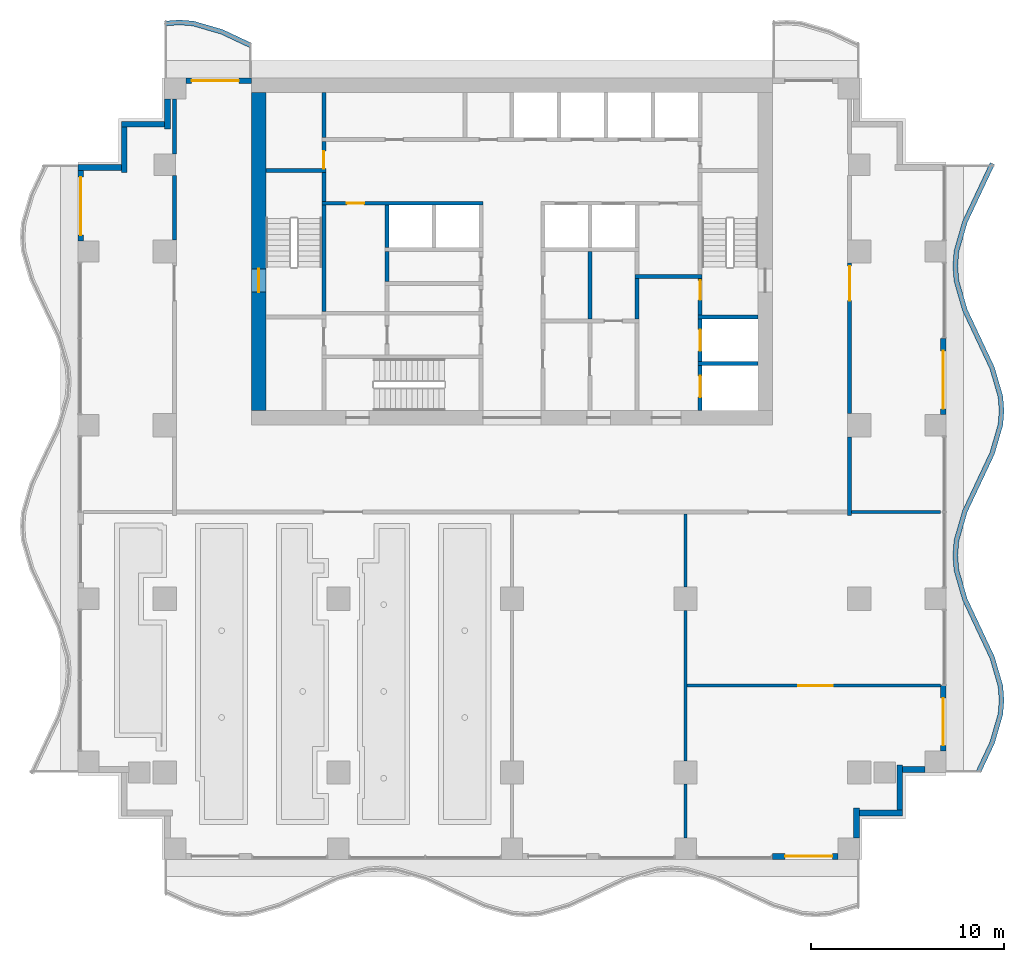
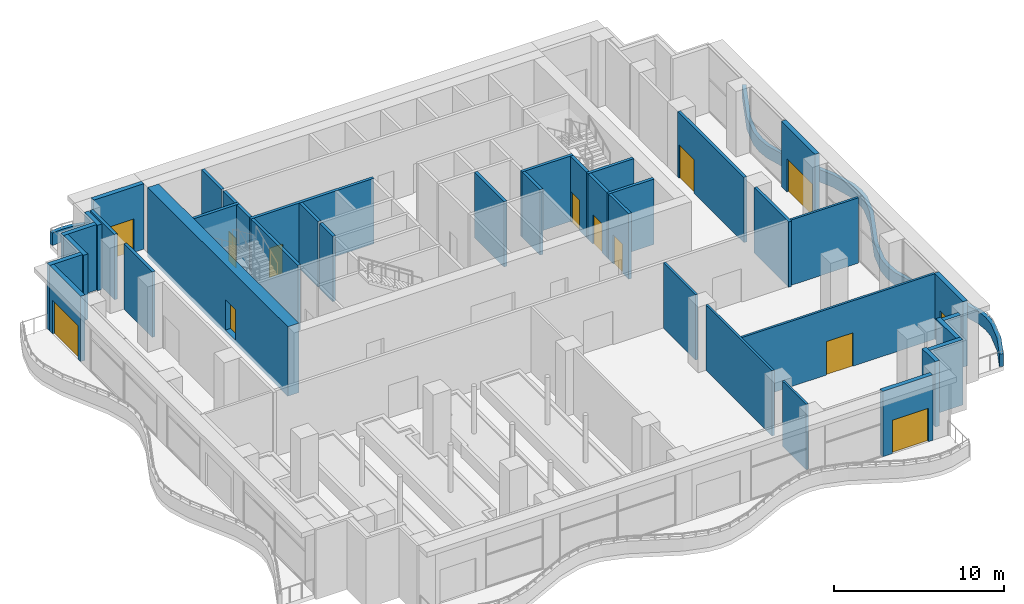
# One storey, part 9 of 16: 41 walls, 13 doors, 13 openings.
"""IFC4 building model written with IfcOpenShell, lengths in metres."""

from ifc_helpers import new_model, si_unit, direction, frame, frame_2d, origin, place, context, subcontext, project, spatial, polyline, rectangle, outline, extrude, material, layer, layer_set, type_object, element, fill, save


model = new_model("IFC4")

# Units and contexts
model_context = context("Model", 3, precision=1e-05, world=origin(), true_north=direction((0.0, 1.0)))
body_context = subcontext(model_context, "Body", "Model", "MODEL_VIEW")
ifc_project = project(units=[si_unit("LENGTHUNIT", "METRE"), si_unit("AREAUNIT", "SQUARE_METRE"), si_unit("VOLUMEUNIT", "CUBIC_METRE"), si_unit("PLANEANGLEUNIT", "RADIAN"), si_unit("MASSUNIT", "GRAM", prefix="KILO")], contexts=[model_context])

# Site, building, storey
site_placement = place(None, origin())
site = spatial("IfcSite", under=ifc_project, at=site_placement, CompositionType="ELEMENT")
building_placement = place(site_placement, origin())
building = spatial("IfcBuilding", under=site, at=building_placement, Name="Orbiselva Terraces", CompositionType="ELEMENT")
storey_placement = place(building_placement, frame((0.0, 0.0, 174.4)))
storey = spatial("IfcBuildingStorey", under=building, at=storey_placement, Name="L44", CompositionType="ELEMENT", Elevation=174.4)

# Wall, opening, door
ifc_material_1 = material(Name="Concrete C80/95", Category="concrete")
ifc_layer_1 = layer(ifc_material_1, 0.75)
ifc_layer_set_1 = layer_set([ifc_layer_1], Name="Concrete C80/95")
wall_type_1 = type_object("IfcWallType", Name="CORE WALL 750", PredefinedType="SHEAR", material=ifc_layer_set_1)
wall_1_placement = place(storey_placement, frame((-13.125, 21.75, -0.3), z_axis=(0.0, 0.0, 1.0), x_axis=(0.0, -1.0, 0.0)))
wall_1 = element("IfcWall", 1, at=wall_1_placement, inside=storey, type_object=wall_type_1, Name="Core wall L44 west", PredefinedType="SHEAR", context=body_context, shape_type="SweptSolid", body=[
    extrude(rectangle(XDim=16.5, YDim=0.75, at=frame_2d((8.25, 0.0))), origin(), (0.0, 0.0, 1.0), 5.0),
])
opening_1_placement = place(wall_1_placement, frame((9.15, 0.0, 0.3)))
opening_1 = element("IfcOpeningElement", 2, at=opening_1_placement, cuts=wall_1, Name="Opening DS1200", PredefinedType="OPENING", context=body_context, shape_type="SweptSolid", body=[
    extrude(rectangle(XDim=1.2, YDim=2.2, at=frame_2d((0.6, 1.1))), frame((0.0, 0.385, 0.0), z_axis=(0.0, -1.0, 0.0), x_axis=(1.0, 0.0, 0.0)), (0.0, 0.0, 1.0), 0.77),
])
ifc_material_2 = material(Name="Steel fire door", Category="steel")
door_type_1 = type_object("IfcDoorType", Name="STAIR DOOR 1200", OperationType="NOTDEFINED", PredefinedType="DOOR", material=ifc_material_2)
door_1_placement = place(opening_1_placement, frame((1.2, 0.0, 0.0), z_axis=(0.0, 0.0, 1.0), x_axis=(-1.0, 0.0, 0.0)))
door_1 = element("IfcDoor", 3, at=door_1_placement, inside=storey, type_object=door_type_1, Name="L44 EXIT STAIR S1 door", OperationType="SINGLE_SWING_RIGHT", OverallHeight=2.2, OverallWidth=1.2, PredefinedType="DOOR", context=body_context, shape_type="SweptSolid", body=[
    extrude(rectangle(XDim=1.2, YDim=2.2, at=frame_2d((0.6, 1.1))), frame((0.0, 0.025, 0.0), z_axis=(0.0, -1.0, 0.0), x_axis=(1.0, 0.0, 0.0)), (0.0, 0.0, 1.0), 0.05),
])
fill(opening_1, door_1)

ifc_material_3 = material(Name="Masonry blockwork", Category="masonry")
ifc_layer_2 = layer(ifc_material_3, 0.2)
ifc_layer_set_2 = layer_set([ifc_layer_2], Name="Masonry blockwork")
wall_type_2 = type_object("IfcWallType", Name="CORE-WALL-PARTITION-200", PredefinedType="PARTITIONING", material=ifc_layer_set_2)
wall_2_placement = place(storey_placement, frame((-9.75, 17.8, 0.0), z_axis=(0.0, 0.0, 1.0), x_axis=(0.0, 1.0, 0.0)))
wall_2 = element("IfcWall", 4, at=wall_2_placement, inside=storey, type_object=wall_type_2, Name="L44 core wall 10", PredefinedType="PARTITIONING", context=body_context, shape_type="SweptSolid", body=[
    extrude(rectangle(XDim=1.4, YDim=0.2, at=frame_2d((0.7, 0.0))), origin(), (0.0, 0.0, 1.0), 4.7),
])
opening_2_placement = place(wall_2_placement, origin())
opening_2 = element("IfcOpeningElement", 5, at=opening_2_placement, cuts=wall_2, Name="Opening DR900", PredefinedType="OPENING", context=body_context, shape_type="SweptSolid", body=[
    extrude(rectangle(XDim=0.9, YDim=2.1, at=frame_2d((0.45, 1.05))), frame((0.0, 0.11, 0.0), z_axis=(0.0, -1.0, 0.0), x_axis=(1.0, 0.0, 0.0)), (0.0, 0.0, 1.0), 0.22),
])
door_type_2 = type_object("IfcDoorType", Name="ROOM DOOR 900", OperationType="NOTDEFINED", PredefinedType="DOOR", material=ifc_material_2)
door_2_placement = place(opening_2_placement, origin())
door_2 = element("IfcDoor", 6, at=door_2_placement, inside=storey, type_object=door_type_2, Name="L44 ELECTRICAL RISER ROOM door", OperationType="SINGLE_SWING_LEFT", OverallHeight=2.1, OverallWidth=0.9, PredefinedType="DOOR", context=body_context, shape_type="SweptSolid", body=[
    extrude(rectangle(XDim=0.9, YDim=2.1, at=frame_2d((0.45, 1.05))), frame((0.0, 0.025, 0.0), z_axis=(0.0, -1.0, 0.0), x_axis=(1.0, 0.0, 0.0)), (0.0, 0.0, 1.0), 0.05),
])
fill(opening_2, door_2)

# Walls
wall_3_placement = place(storey_placement, frame((-9.75, 19.4, 0.0), z_axis=(0.0, 0.0, 1.0), x_axis=(0.0, 1.0, 0.0)))
element("IfcWall", 7, at=wall_3_placement, inside=storey, type_object=wall_type_2, Name="L44 core wall 12", PredefinedType="PARTITIONING", context=body_context, shape_type="SweptSolid", body=[
    extrude(rectangle(XDim=2.35, YDim=0.2, at=frame_2d((1.175, 0.0))), origin(), (0.0, 0.0, 1.0), 4.7),
])
wall_4_placement = place(storey_placement, frame((-6.475, 11.95, 0.0), z_axis=(0.0, 0.0, 1.0), x_axis=(0.0, 1.0, 0.0)))
element("IfcWall", 8, at=wall_4_placement, inside=storey, type_object=wall_type_2, Name="L44 core wall 16", PredefinedType="PARTITIONING", context=body_context, shape_type="SweptSolid", body=[
    extrude(rectangle(XDim=1.55, YDim=0.2, at=frame_2d((0.775, 0.0))), origin(), (0.0, 0.0, 1.0), 4.7),
])
wall_5_placement = place(storey_placement, frame((4.0375, 10.0, 0.0), z_axis=(0.0, 0.0, 1.0), x_axis=(0.0, 1.0, 0.0)))
element("IfcWall", 9, at=wall_5_placement, inside=storey, type_object=wall_type_2, Name="L44 core wall 35", PredefinedType="PARTITIONING", context=body_context, shape_type="SweptSolid", body=[
    extrude(rectangle(XDim=3.5, YDim=0.2, at=frame_2d((1.75, 0.0))), origin(), (0.0, 0.0, 1.0), 4.7),
])
ifc_material_4 = material(Name="Concrete C40/50", Category="concrete")
ifc_layer_3 = layer(ifc_material_4, 0.2)
ifc_layer_set_3 = layer_set([ifc_layer_3], Name="Concrete C40/50")
wall_type_3 = type_object("IfcWallType", Name="CORE-WALL-SHAFT-200", PredefinedType="PARTITIONING", material=ifc_layer_set_3)
wall_6_placement = place(storey_placement, frame((-6.475, 13.7, 0.0), z_axis=(0.0, 0.0, 1.0), x_axis=(0.0, 1.0, 0.0)))
element("IfcWall", 10, at=wall_6_placement, inside=storey, type_object=wall_type_3, Name="L44 core wall 18", PredefinedType="PARTITIONING", context=body_context, shape_type="SweptSolid", body=[
    extrude(rectangle(XDim=2.2, YDim=0.2, at=frame_2d((1.1, 0.0))), origin(), (0.0, 0.0, 1.0), 4.7),
])
ifc_material_5 = material(Name="Concrete C60/75", Category="concrete")
ifc_layer_4 = layer(ifc_material_5, 0.2)
ifc_layer_set_4 = layer_set([ifc_layer_4], Name="Concrete C60/75")
wall_type_4 = type_object("IfcWallType", Name="CORE-WALL-SHEAR-200", PredefinedType="SHEAR", material=ifc_layer_set_4)
wall_7_placement = place(storey_placement, frame((-12.75, 17.7, 0.0), z_axis=(0.0, 0.0, 1.0), x_axis=(1.0, 0.0, 0.0)))
element("IfcWall", 11, at=wall_7_placement, inside=storey, type_object=wall_type_4, Name="L44 core wall 02", PredefinedType="SHEAR", context=body_context, shape_type="SweptSolid", body=[
    extrude(rectangle(XDim=3.1, YDim=0.2, at=frame_2d((1.55, 0.0))), origin(), (0.0, 0.0, 1.0), 4.7),
])
wall_8_placement = place(storey_placement, frame((-9.75, 10.4, 0.0), z_axis=(0.0, 0.0, 1.0), x_axis=(0.0, 1.0, 0.0)))
element("IfcWall", 12, at=wall_8_placement, inside=storey, type_object=wall_type_4, Name="L44 core wall 07", PredefinedType="SHEAR", context=body_context, shape_type="SweptSolid", body=[
    extrude(rectangle(XDim=5.5, YDim=0.2, at=frame_2d((2.75, 0.0))), origin(), (0.0, 0.0, 1.0), 4.7),
])

# Wall, opening, door
wall_9_placement = place(storey_placement, frame((-1.5, 16.0, 0.0), z_axis=(0.0, 0.0, 1.0), x_axis=(-1.0, 0.0, 0.0)))
wall_9 = element("IfcWall", 13, at=wall_9_placement, inside=storey, type_object=wall_type_4, Name="L44 core wall 08", PredefinedType="SHEAR", context=body_context, shape_type="SweptSolid", body=[
    extrude(rectangle(XDim=8.35, YDim=0.2, at=frame_2d((4.175, 0.0))), origin(), (0.0, 0.0, 1.0), 4.7),
])
opening_3_placement = place(wall_9_placement, frame((6.1625, 0.0, 0.0)))
opening_3 = element("IfcOpeningElement", 14, at=opening_3_placement, cuts=wall_9, Name="Opening DR900", PredefinedType="OPENING", context=body_context, shape_type="SweptSolid", body=[
    extrude(rectangle(XDim=0.9, YDim=2.1, at=frame_2d((0.45, 1.05))), frame((0.0, 0.11, 0.0), z_axis=(0.0, -1.0, 0.0), x_axis=(1.0, 0.0, 0.0)), (0.0, 0.0, 1.0), 0.22),
])
door_3_placement = place(opening_3_placement, origin())
door_3 = element("IfcDoor", 15, at=door_3_placement, inside=storey, type_object=door_type_2, Name="L44 GUEST PANTRY door", OperationType="SINGLE_SWING_RIGHT", OverallHeight=2.1, OverallWidth=0.9, PredefinedType="DOOR", context=body_context, shape_type="SweptSolid", body=[
    extrude(rectangle(XDim=0.9, YDim=2.1, at=frame_2d((0.45, 1.05))), frame((0.0, 0.025, 0.0), z_axis=(0.0, -1.0, 0.0), x_axis=(1.0, 0.0, 0.0)), (0.0, 0.0, 1.0), 0.05),
])
fill(opening_3, door_3)

# Walls
wall_10_placement = place(storey_placement, frame((-9.75, 16.1, 0.0), z_axis=(0.0, 0.0, 1.0), x_axis=(0.0, 1.0, 0.0)))
element("IfcWall", 16, at=wall_10_placement, inside=storey, type_object=wall_type_4, Name="L44 core wall 09", PredefinedType="SHEAR", context=body_context, shape_type="SweptSolid", body=[
    extrude(rectangle(XDim=1.5, YDim=0.2, at=frame_2d((0.75, 0.0))), origin(), (0.0, 0.0, 1.0), 4.7),
])
wall_11_placement = place(storey_placement, frame((6.475, 10.0, 0.0), z_axis=(0.0, 0.0, 1.0), x_axis=(0.0, 1.0, 0.0)))
element("IfcWall", 17, at=wall_11_placement, inside=storey, type_object=wall_type_4, Name="L44 core wall 39", PredefinedType="SHEAR", context=body_context, shape_type="SweptSolid", body=[
    extrude(rectangle(XDim=2.1, YDim=0.2, at=frame_2d((1.05, 0.0))), origin(), (0.0, 0.0, 1.0), 4.7),
])
wall_12_placement = place(storey_placement, frame((6.375, 12.2, 0.0), z_axis=(0.0, 0.0, 1.0), x_axis=(1.0, 0.0, 0.0)))
element("IfcWall", 18, at=wall_12_placement, inside=storey, type_object=wall_type_4, Name="L44 core wall 40", PredefinedType="SHEAR", context=body_context, shape_type="SweptSolid", body=[
    extrude(rectangle(XDim=3.475, YDim=0.2, at=frame_2d((1.7375, 0.0))), origin(), (0.0, 0.0, 1.0), 4.7),
])

# Wall, opening, door
wall_13_placement = place(storey_placement, frame((9.75, 5.25, 0.0), z_axis=(0.0, 0.0, 1.0), x_axis=(0.0, 1.0, 0.0)))
wall_13 = element("IfcWall", 19, at=wall_13_placement, inside=storey, type_object=wall_type_4, Name="L44 core wall 44", PredefinedType="SHEAR", context=body_context, shape_type="SweptSolid", body=[
    extrude(rectangle(XDim=2.35, YDim=0.2, at=frame_2d((1.175, 0.0))), origin(), (0.0, 0.0, 1.0), 4.7),
])
opening_4_placement = place(wall_13_placement, frame((0.7, 0.0, 0.0)))
opening_4 = element("IfcOpeningElement", 20, at=opening_4_placement, cuts=wall_13, Name="Opening LD-FF1", PredefinedType="OPENING", context=body_context, shape_type="SweptSolid", body=[
    extrude(rectangle(XDim=1.1, YDim=2.1, at=frame_2d((0.55, 1.05))), frame((0.0, 0.11, 0.0), z_axis=(0.0, -1.0, 0.0), x_axis=(1.0, 0.0, 0.0)), (0.0, 0.0, 1.0), 0.22),
])
ifc_material_6 = material(Name="Stainless steel landing door", Category="steel")
door_type_3 = type_object("IfcDoorType", Name="LANDING DOOR 1100", OperationType="SLIDING_TO_LEFT", PredefinedType="DOOR", material=ifc_material_6)
door_4_placement = place(opening_4_placement, origin())
door_4 = element("IfcDoor", 21, at=door_4_placement, inside=storey, type_object=door_type_3, Name="L44 landing door FF1", OperationType="SLIDING_TO_RIGHT", OverallHeight=2.1, OverallWidth=1.1, PredefinedType="DOOR", context=body_context, shape_type="SweptSolid", body=[
    extrude(rectangle(XDim=1.1, YDim=2.1, at=frame_2d((0.55, 1.05))), frame((0.0, 0.025, 0.0), z_axis=(0.0, -1.0, 0.0), x_axis=(1.0, 0.0, 0.0)), (0.0, 0.0, 1.0), 0.05),
])
fill(opening_4, door_4)

# Wall
wall_14_placement = place(storey_placement, frame((9.65, 7.7, 0.0), z_axis=(0.0, 0.0, 1.0), x_axis=(1.0, 0.0, 0.0)))
element("IfcWall", 22, at=wall_14_placement, inside=storey, type_object=wall_type_4, Name="L44 core wall 45", PredefinedType="SHEAR", context=body_context, shape_type="SweptSolid", body=[
    extrude(rectangle(XDim=3.1, YDim=0.2, at=frame_2d((1.55, 0.0))), origin(), (0.0, 0.0, 1.0), 4.7),
])

# Wall, opening, door
wall_15_placement = place(storey_placement, frame((9.75, 7.8, 0.0), z_axis=(0.0, 0.0, 1.0), x_axis=(0.0, 1.0, 0.0)))
wall_15 = element("IfcWall", 23, at=wall_15_placement, inside=storey, type_object=wall_type_4, Name="L44 core wall 46", PredefinedType="SHEAR", context=body_context, shape_type="SweptSolid", body=[
    extrude(rectangle(XDim=2.2, YDim=0.2, at=frame_2d((1.1, 0.0))), origin(), (0.0, 0.0, 1.0), 4.7),
])
opening_5_placement = place(wall_15_placement, frame((0.55, 0.0, 0.0)))
opening_5 = element("IfcOpeningElement", 24, at=opening_5_placement, cuts=wall_15, Name="Opening LD-FF2", PredefinedType="OPENING", context=body_context, shape_type="SweptSolid", body=[
    extrude(rectangle(XDim=1.1, YDim=2.1, at=frame_2d((0.55, 1.05))), frame((0.0, 0.11, 0.0), z_axis=(0.0, -1.0, 0.0), x_axis=(1.0, 0.0, 0.0)), (0.0, 0.0, 1.0), 0.22),
])
door_5_placement = place(opening_5_placement, origin())
door_5 = element("IfcDoor", 25, at=door_5_placement, inside=storey, type_object=door_type_3, Name="L44 landing door FF2", OperationType="SLIDING_TO_RIGHT", OverallHeight=2.1, OverallWidth=1.1, PredefinedType="DOOR", context=body_context, shape_type="SweptSolid", body=[
    extrude(rectangle(XDim=1.1, YDim=2.1, at=frame_2d((0.55, 1.05))), frame((0.0, 0.025, 0.0), z_axis=(0.0, -1.0, 0.0), x_axis=(1.0, 0.0, 0.0)), (0.0, 0.0, 1.0), 0.05),
])
fill(opening_5, door_5)

# Wall
wall_16_placement = place(storey_placement, frame((9.65, 10.1, 0.0), z_axis=(0.0, 0.0, 1.0), x_axis=(1.0, 0.0, 0.0)))
element("IfcWall", 26, at=wall_16_placement, inside=storey, type_object=wall_type_4, Name="L44 core wall 47", PredefinedType="SHEAR", context=body_context, shape_type="SweptSolid", body=[
    extrude(rectangle(XDim=3.1, YDim=0.2, at=frame_2d((1.55, 0.0))), origin(), (0.0, 0.0, 1.0), 4.7),
])

# Wall, opening, door
wall_17_placement = place(storey_placement, frame((9.75, 12.1, 0.0), z_axis=(0.0, 0.0, 1.0), x_axis=(0.0, -1.0, 0.0)))
wall_17 = element("IfcWall", 27, at=wall_17_placement, inside=storey, type_object=wall_type_4, Name="L44 core wall 48", PredefinedType="SHEAR", context=body_context, shape_type="SweptSolid", body=[
    extrude(rectangle(XDim=1.9, YDim=0.2, at=frame_2d((0.95, 0.0))), origin(), (0.0, 0.0, 1.0), 4.7),
])
opening_6_placement = place(wall_17_placement, frame((0.1, 0.0, 0.0)))
opening_6 = element("IfcOpeningElement", 28, at=opening_6_placement, cuts=wall_17, Name="Opening DS1000", PredefinedType="OPENING", context=body_context, shape_type="SweptSolid", body=[
    extrude(rectangle(XDim=1.0, YDim=2.2, at=frame_2d((0.5, 1.1))), frame((0.0, 0.11, 0.0), z_axis=(0.0, -1.0, 0.0), x_axis=(1.0, 0.0, 0.0)), (0.0, 0.0, 1.0), 0.22),
])
door_type_4 = type_object("IfcDoorType", Name="STAIR DOOR 1000", OperationType="NOTDEFINED", PredefinedType="DOOR", material=ifc_material_2)
door_6_placement = place(opening_6_placement, origin())
door_6 = element("IfcDoor", 29, at=door_6_placement, inside=storey, type_object=door_type_4, Name="L44 FIRE-FIGHTING LOBBY TO EXIT STAIR S2 door", OperationType="SINGLE_SWING_LEFT", OverallHeight=2.2, OverallWidth=1.0, PredefinedType="DOOR", context=body_context, shape_type="SweptSolid", body=[
    extrude(rectangle(XDim=1.0, YDim=2.2, at=frame_2d((0.5, 1.1))), frame((0.0, 0.025, 0.0), z_axis=(0.0, -1.0, 0.0), x_axis=(1.0, 0.0, 0.0)), (0.0, 0.0, 1.0), 0.05),
])
fill(opening_6, door_6)

# Walls
ifc_layer_5 = layer(ifc_material_4, 0.25)
ifc_layer_set_5 = layer_set([ifc_layer_5], Name="Concrete C40/50")
wall_type_5 = type_object("IfcWallType", Name="ENV-PLANTER-250x900", PredefinedType="USERDEFINED", material=ifc_layer_set_5)
wall_18_placement = place(storey_placement, origin())
element("IfcWall", 30, at=wall_18_placement, inside=storey, type_object=wall_type_5, Name="Balcony planter L44 E", ObjectType="PLANTER", PredefinedType="USERDEFINED", context=body_context, shape_type="SweptSolid", body=[
    extrude(outline(polyline([(24.3, -13.5), (25.005342, -12.0), (25.441268, -10.5), (25.5, -9.75), (25.441268, -9.0), (25.005342, -7.5), (24.3, -6.0), (23.594658, -4.5), (23.158732, -3.0), (23.1, -2.25), (23.158732, -1.5), (23.594658, 0.0), (24.3, 1.5), (25.005342, 3.0), (25.441268, 4.5), (25.5, 5.25), (25.441268, 6.0), (25.005342, 7.5), (24.3, 9.0), (23.594658, 10.5), (23.158732, 12.0), (23.1, 12.75), (23.158732, 13.5), (23.594658, 15.0), (24.3, 16.5), (25.005342, 18.0), (24.779106, 18.106383), (24.073764, 16.606383), (23.360069, 15.088618), (22.911499, 13.545114), (22.849235, 12.75), (22.911499, 11.954886), (23.360069, 10.411382), (24.073764, 8.893617), (24.770753, 7.411382), (25.194035, 5.954886), (25.249235, 5.25), (25.194035, 4.545114), (24.770753, 3.088618), (24.073764, 1.606383), (23.360069, 0.088618), (22.911499, -1.454886), (22.849235, -2.25), (22.911499, -3.045114), (23.360069, -4.588618), (24.073764, -6.106383), (24.770753, -7.588618), (25.194035, -9.045114), (25.249235, -9.75), (25.194035, -10.454886), (24.770753, -11.911382), (24.073764, -13.393617), (24.3, -13.5)])), origin(), (0.0, 0.0, 1.0), 0.9),
])
wall_19_placement = place(storey_placement, origin())
element("IfcWall", 31, at=wall_19_placement, inside=storey, type_object=wall_type_5, Name="Balcony planter L44 NW", ObjectType="PLANTER", PredefinedType="USERDEFINED", context=body_context, shape_type="SweptSolid", body=[
    extrude(outline(polyline([(-13.5, 24.3), (-15.0, 25.005342), (-16.5, 25.441268), (-17.25, 25.5), (-18.0, 25.441268), (-17.980482, 25.192031), (-17.25, 25.249235), (-16.545114, 25.194035), (-15.088618, 24.770753), (-13.606383, 24.073764), (-13.5, 24.3)])), origin(), (0.0, 0.0, 1.0), 0.9),
])

# Wall, opening, door
ifc_material_7 = material(Name="Terracotta cladding on masonry backing", Category="masonry")
ifc_layer_6 = layer(ifc_material_7, 0.3)
ifc_layer_set_6 = layer_set([ifc_layer_6], Name="Terracotta cladding on masonry backing")
wall_type_6 = type_object("IfcWallType", Name="ENV-WALL-TERRACOTTA-300", PredefinedType="SOLIDWALL", material=ifc_layer_set_6)
wall_20_placement = place(storey_placement, frame((16.9, -17.85, 0.0), z_axis=(0.0, 0.0, 1.0), x_axis=(-1.0, 0.0, 0.0)))
wall_20 = element("IfcWall", 32, at=wall_20_placement, inside=storey, type_object=wall_type_6, Name="Facade wall L44 S", PredefinedType="SOLIDWALL", context=body_context, shape_type="SweptSolid", body=[
    extrude(rectangle(XDim=3.4, YDim=0.3, at=frame_2d((1.7, 0.0))), origin(), (0.0, 0.0, 1.0), 4.7),
])
opening_7_placement = place(wall_20_placement, frame((0.3, 0.0, 0.0)))
opening_7 = element("IfcOpeningElement", 33, at=opening_7_placement, cuts=wall_20, Name="Opening SKY-3-E03", PredefinedType="OPENING", context=body_context, shape_type="SweptSolid", body=[
    extrude(rectangle(XDim=2.45, YDim=2.4, at=frame_2d((1.225, 1.2))), frame((0.0, 0.16, 0.0), z_axis=(0.0, -1.0, 0.0), x_axis=(1.0, 0.0, 0.0)), (0.0, 0.0, 1.0), 0.32),
])
ifc_material_8 = material(Name="Clear low-e glazing in aluminium frame", Category="aluminium")
door_type_5 = type_object("IfcDoorType", Name="BALCONY DOOR 2450 X 2400", OperationType="DOUBLE_DOOR_SLIDING", PredefinedType="DOOR", material=ifc_material_8)
door_7_placement = place(opening_7_placement, origin())
door_7 = element("IfcDoor", 34, at=door_7_placement, inside=storey, type_object=door_type_5, Name="SKY-3-E03", OperationType="SINGLE_SWING_LEFT", OverallHeight=2.4, OverallWidth=2.45, PredefinedType="DOOR", context=body_context, shape_type="SweptSolid", body=[
    extrude(rectangle(XDim=2.45, YDim=2.4, at=frame_2d((1.225, 1.2))), frame((0.0, 0.025, 0.0), z_axis=(0.0, -1.0, 0.0), x_axis=(1.0, 0.0, 0.0)), (0.0, 0.0, 1.0), 0.05),
])
fill(opening_7, door_7)

# Walls
wall_21_placement = place(storey_placement, frame((17.85, -15.35, 0.0), z_axis=(0.0, 0.0, 1.0), x_axis=(0.0, -1.0, 0.0)))
element("IfcWall", 35, at=wall_21_placement, inside=storey, type_object=wall_type_6, Name="Facade wall L44 STEP", PredefinedType="SOLIDWALL", context=body_context, shape_type="SweptSolid", body=[
    extrude(rectangle(XDim=1.55, YDim=0.3, at=frame_2d((0.775, 0.0))), origin(), (0.0, 0.0, 1.0), 4.7),
])
wall_22_placement = place(storey_placement, frame((20.25, -15.6, 0.0), z_axis=(0.0, 0.0, 1.0), x_axis=(-1.0, 0.0, 0.0)))
element("IfcWall", 36, at=wall_22_placement, inside=storey, type_object=wall_type_6, Name="Facade wall L44 STEP", PredefinedType="SOLIDWALL", context=body_context, shape_type="SweptSolid", body=[
    extrude(rectangle(XDim=2.25, YDim=0.3, at=frame_2d((1.125, 0.0))), origin(), (0.0, 0.0, 1.0), 4.7),
])
wall_23_placement = place(storey_placement, frame((20.1, -13.1, 0.0), z_axis=(0.0, 0.0, 1.0), x_axis=(0.0, -1.0, 0.0)))
element("IfcWall", 37, at=wall_23_placement, inside=storey, type_object=wall_type_6, Name="Facade wall L44 STEP", PredefinedType="SOLIDWALL", context=body_context, shape_type="SweptSolid", body=[
    extrude(rectangle(XDim=2.35, YDim=0.3, at=frame_2d((1.175, 0.0))), origin(), (0.0, 0.0, 1.0), 4.7),
])
wall_24_placement = place(storey_placement, frame((21.4, -13.35, 0.0), z_axis=(0.0, 0.0, 1.0), x_axis=(-1.0, 0.0, 0.0)))
element("IfcWall", 38, at=wall_24_placement, inside=storey, type_object=wall_type_6, Name="Facade wall L44 STEP", PredefinedType="SOLIDWALL", context=body_context, shape_type="SweptSolid", body=[
    extrude(rectangle(XDim=1.15, YDim=0.3, at=frame_2d((0.575, 0.0))), origin(), (0.0, 0.0, 1.0), 4.7),
])

# Wall, opening, door
wall_25_placement = place(storey_placement, frame((22.35, -9.0, 0.0), z_axis=(0.0, 0.0, 1.0), x_axis=(0.0, -1.0, 0.0)))
wall_25 = element("IfcWall", 39, at=wall_25_placement, inside=storey, type_object=wall_type_6, Name="Facade wall L44 E", PredefinedType="SOLIDWALL", context=body_context, shape_type="SweptSolid", body=[
    extrude(rectangle(XDim=3.4, YDim=0.3, at=frame_2d((1.7, 0.0))), origin(), (0.0, 0.0, 1.0), 4.7),
])
opening_8_placement = place(wall_25_placement, frame((0.65, 0.0, 0.0)))
opening_8 = element("IfcOpeningElement", 40, at=opening_8_placement, cuts=wall_25, Name="Opening SKY-3-E04", PredefinedType="OPENING", context=body_context, shape_type="SweptSolid", body=[
    extrude(rectangle(XDim=2.45, YDim=2.4, at=frame_2d((1.225, 1.2))), frame((0.0, 0.16, 0.0), z_axis=(0.0, -1.0, 0.0), x_axis=(1.0, 0.0, 0.0)), (0.0, 0.0, 1.0), 0.32),
])
door_8_placement = place(opening_8_placement, origin())
door_8 = element("IfcDoor", 41, at=door_8_placement, inside=storey, type_object=door_type_5, Name="SKY-3-E04", OperationType="SINGLE_SWING_LEFT", OverallHeight=2.4, OverallWidth=2.45, PredefinedType="DOOR", context=body_context, shape_type="SweptSolid", body=[
    extrude(rectangle(XDim=2.45, YDim=2.4, at=frame_2d((1.225, 1.2))), frame((0.0, 0.025, 0.0), z_axis=(0.0, -1.0, 0.0), x_axis=(1.0, 0.0, 0.0)), (0.0, 0.0, 1.0), 0.05),
])
fill(opening_8, door_8)

wall_26_placement = place(storey_placement, frame((22.35, 9.0, 0.0), z_axis=(0.0, 0.0, 1.0), x_axis=(0.0, -1.0, 0.0)))
wall_26 = element("IfcWall", 42, at=wall_26_placement, inside=storey, type_object=wall_type_6, Name="Facade wall L44 E", PredefinedType="SOLIDWALL", context=body_context, shape_type="SweptSolid", body=[
    extrude(rectangle(XDim=3.95, YDim=0.3, at=frame_2d((1.975, 0.0))), origin(), (0.0, 0.0, 1.0), 4.7),
])
opening_9_placement = place(wall_26_placement, frame((0.65, 0.0, 0.0)))
opening_9 = element("IfcOpeningElement", 43, at=opening_9_placement, cuts=wall_26, Name="Opening SKY-3-E05", PredefinedType="OPENING", context=body_context, shape_type="SweptSolid", body=[
    extrude(rectangle(XDim=3.0, YDim=2.4, at=frame_2d((1.5, 1.2))), frame((0.0, 0.16, 0.0), z_axis=(0.0, -1.0, 0.0), x_axis=(1.0, 0.0, 0.0)), (0.0, 0.0, 1.0), 0.32),
])
door_type_6 = type_object("IfcDoorType", Name="BALCONY DOOR 3000 X 2400", OperationType="DOUBLE_DOOR_SLIDING", PredefinedType="DOOR", material=ifc_material_8)
door_9_placement = place(opening_9_placement, origin())
door_9 = element("IfcDoor", 44, at=door_9_placement, inside=storey, type_object=door_type_6, Name="SKY-3-E05", OperationType="SINGLE_SWING_LEFT", OverallHeight=2.4, OverallWidth=3.0, PredefinedType="DOOR", context=body_context, shape_type="SweptSolid", body=[
    extrude(rectangle(XDim=3.0, YDim=2.4, at=frame_2d((1.5, 1.2))), frame((0.0, 0.025, 0.0), z_axis=(0.0, -1.0, 0.0), x_axis=(1.0, 0.0, 0.0)), (0.0, 0.0, 1.0), 0.05),
])
fill(opening_9, door_9)

wall_27_placement = place(storey_placement, frame((-16.9, 22.35, 0.0), z_axis=(0.0, 0.0, 1.0), x_axis=(1.0, 0.0, 0.0)))
wall_27 = element("IfcWall", 45, at=wall_27_placement, inside=storey, type_object=wall_type_6, Name="Facade wall L44 NW", PredefinedType="SOLIDWALL", context=body_context, shape_type="SweptSolid", body=[
    extrude(rectangle(XDim=3.4, YDim=0.3, at=frame_2d((1.7, 0.0))), origin(), (0.0, 0.0, 1.0), 4.7),
])
opening_10_placement = place(wall_27_placement, frame((0.3, 0.0, 0.0)))
opening_10 = element("IfcOpeningElement", 46, at=opening_10_placement, cuts=wall_27, Name="Opening SKY-3-E07", PredefinedType="OPENING", context=body_context, shape_type="SweptSolid", body=[
    extrude(rectangle(XDim=2.45, YDim=2.4, at=frame_2d((1.225, 1.2))), frame((0.0, 0.16, 0.0), z_axis=(0.0, -1.0, 0.0), x_axis=(1.0, 0.0, 0.0)), (0.0, 0.0, 1.0), 0.32),
])
door_10_placement = place(opening_10_placement, origin())
door_10 = element("IfcDoor", 47, at=door_10_placement, inside=storey, type_object=door_type_5, Name="SKY-3-E07", OperationType="SINGLE_SWING_LEFT", OverallHeight=2.4, OverallWidth=2.45, PredefinedType="DOOR", context=body_context, shape_type="SweptSolid", body=[
    extrude(rectangle(XDim=2.45, YDim=2.4, at=frame_2d((1.225, 1.2))), frame((0.0, 0.025, 0.0), z_axis=(0.0, -1.0, 0.0), x_axis=(1.0, 0.0, 0.0)), (0.0, 0.0, 1.0), 0.05),
])
fill(opening_10, door_10)

# Walls
wall_28_placement = place(storey_placement, frame((-17.85, 19.85, 0.0), z_axis=(0.0, 0.0, 1.0), x_axis=(0.0, 1.0, 0.0)))
element("IfcWall", 48, at=wall_28_placement, inside=storey, type_object=wall_type_6, Name="Facade wall L44 STEP", PredefinedType="SOLIDWALL", context=body_context, shape_type="SweptSolid", body=[
    extrude(rectangle(XDim=1.55, YDim=0.3, at=frame_2d((0.775, 0.0))), origin(), (0.0, 0.0, 1.0), 4.7),
])
wall_29_placement = place(storey_placement, frame((-20.25, 20.1, 0.0), z_axis=(0.0, 0.0, 1.0), x_axis=(1.0, 0.0, 0.0)))
element("IfcWall", 49, at=wall_29_placement, inside=storey, type_object=wall_type_6, Name="Facade wall L44 STEP", PredefinedType="SOLIDWALL", context=body_context, shape_type="SweptSolid", body=[
    extrude(rectangle(XDim=2.25, YDim=0.3, at=frame_2d((1.125, 0.0))), origin(), (0.0, 0.0, 1.0), 4.7),
])
wall_30_placement = place(storey_placement, frame((-20.1, 17.6, 0.0), z_axis=(0.0, 0.0, 1.0), x_axis=(0.0, 1.0, 0.0)))
element("IfcWall", 50, at=wall_30_placement, inside=storey, type_object=wall_type_6, Name="Facade wall L44 STEP", PredefinedType="SOLIDWALL", context=body_context, shape_type="SweptSolid", body=[
    extrude(rectangle(XDim=2.35, YDim=0.3, at=frame_2d((1.175, 0.0))), origin(), (0.0, 0.0, 1.0), 4.7),
])
wall_31_placement = place(storey_placement, frame((-22.5, 17.85, 0.0), z_axis=(0.0, 0.0, 1.0), x_axis=(1.0, 0.0, 0.0)))
element("IfcWall", 51, at=wall_31_placement, inside=storey, type_object=wall_type_6, Name="Facade wall L44 STEP", PredefinedType="SOLIDWALL", context=body_context, shape_type="SweptSolid", body=[
    extrude(rectangle(XDim=2.25, YDim=0.3, at=frame_2d((1.125, 0.0))), origin(), (0.0, 0.0, 1.0), 4.7),
])

# Wall, opening, door
wall_32_placement = place(storey_placement, frame((-22.35, 14.05, 0.0), z_axis=(0.0, 0.0, 1.0), x_axis=(0.0, 1.0, 0.0)))
wall_32 = element("IfcWall", 52, at=wall_32_placement, inside=storey, type_object=wall_type_6, Name="Facade wall L44 W", PredefinedType="SOLIDWALL", context=body_context, shape_type="SweptSolid", body=[
    extrude(rectangle(XDim=3.65, YDim=0.3, at=frame_2d((1.825, 0.0))), origin(), (0.0, 0.0, 1.0), 4.7),
])
opening_11_placement = place(wall_32_placement, frame((0.3, 0.0, 0.0)))
opening_11 = element("IfcOpeningElement", 53, at=opening_11_placement, cuts=wall_32, Name="Opening SKY-3-E08", PredefinedType="OPENING", context=body_context, shape_type="SweptSolid", body=[
    extrude(rectangle(XDim=3.0, YDim=2.4, at=frame_2d((1.5, 1.2))), frame((0.0, 0.16, 0.0), z_axis=(0.0, -1.0, 0.0), x_axis=(1.0, 0.0, 0.0)), (0.0, 0.0, 1.0), 0.32),
])
door_11_placement = place(opening_11_placement, origin())
door_11 = element("IfcDoor", 54, at=door_11_placement, inside=storey, type_object=door_type_6, Name="SKY-3-E08", OperationType="SINGLE_SWING_LEFT", OverallHeight=2.4, OverallWidth=3.0, PredefinedType="DOOR", context=body_context, shape_type="SweptSolid", body=[
    extrude(rectangle(XDim=3.0, YDim=2.4, at=frame_2d((1.5, 1.2))), frame((0.0, 0.025, 0.0), z_axis=(0.0, -1.0, 0.0), x_axis=(1.0, 0.0, 0.0)), (0.0, 0.0, 1.0), 0.05),
])
fill(opening_11, door_11)

# Walls
ifc_material_9 = material(Name="Plasterboard on steel stud partition", Category="steel")
ifc_layer_7 = layer(ifc_material_9, 0.2)
ifc_layer_set_7 = layer_set([ifc_layer_7], Name="Plasterboard on steel stud partition")
wall_type_7 = type_object("IfcWallType", Name="UNIT-ENTRANCE-WALL-200", PredefinedType="PARTITIONING", material=ifc_layer_set_7)
wall_33_placement = place(storey_placement, frame((-17.5, 14.1, 0.0), z_axis=(0.0, 0.0, 1.0), x_axis=(0.0, 1.0, 0.0)))
element("IfcWall", 55, at=wall_33_placement, inside=storey, type_object=wall_type_7, Name="PARTITION L44-007", PredefinedType="PARTITIONING", context=body_context, shape_type="SweptSolid", body=[
    extrude(rectangle(XDim=3.35, YDim=0.2, at=frame_2d((1.675, 0.0))), origin(), (0.0, 0.0, 1.0), 4.7),
])
wall_34_placement = place(storey_placement, frame((-17.5, 18.55, 0.0), z_axis=(0.0, 0.0, 1.0), x_axis=(0.0, 1.0, 0.0)))
element("IfcWall", 56, at=wall_34_placement, inside=storey, type_object=wall_type_7, Name="PARTITION L44-008", PredefinedType="PARTITIONING", context=body_context, shape_type="SweptSolid", body=[
    extrude(rectangle(XDim=2.85, YDim=0.2, at=frame_2d((1.425, 0.0))), origin(), (0.0, 0.0, 1.0), 4.7),
])
wall_35_placement = place(storey_placement, frame((17.5, -0.175, 0.0), z_axis=(0.0, 0.0, 1.0), x_axis=(0.0, 1.0, 0.0)))
element("IfcWall", 57, at=wall_35_placement, inside=storey, type_object=wall_type_7, Name="PARTITION L44-015", PredefinedType="PARTITIONING", context=body_context, shape_type="SweptSolid", body=[
    extrude(rectangle(XDim=4.075, YDim=0.2, at=frame_2d((2.0375, 0.0))), origin(), (0.0, 0.0, 1.0), 4.7),
])

# Wall, opening, door
wall_36_placement = place(storey_placement, frame((17.5, 5.1, 0.0), z_axis=(0.0, 0.0, 1.0), x_axis=(0.0, 1.0, 0.0)))
wall_36 = element("IfcWall", 58, at=wall_36_placement, inside=storey, type_object=wall_type_7, Name="PARTITION L44-016", PredefinedType="PARTITIONING", context=body_context, shape_type="SweptSolid", body=[
    extrude(rectangle(XDim=7.8, YDim=0.2, at=frame_2d((3.9, 0.0))), origin(), (0.0, 0.0, 1.0), 4.7),
])
opening_12_placement = place(wall_36_placement, frame((5.85, 0.0, 0.0)))
opening_12 = element("IfcOpeningElement", 59, at=opening_12_placement, cuts=wall_36, Name="Opening SKY-3-05", PredefinedType="OPENING", context=body_context, shape_type="SweptSolid", body=[
    extrude(rectangle(XDim=1.8, YDim=2.4, at=frame_2d((0.9, 1.2))), frame((0.0, 0.11, 0.0), z_axis=(0.0, -1.0, 0.0), x_axis=(1.0, 0.0, 0.0)), (0.0, 0.0, 1.0), 0.22),
])
ifc_material_10 = material(Name="Painted timber door leaf", Category="wood")
door_type_7 = type_object("IfcDoorType", Name="DOUBLE DOOR 1800", OperationType="NOTDEFINED", PredefinedType="DOOR", material=ifc_material_10)
door_12_placement = place(opening_12_placement, origin())
door_12 = element("IfcDoor", 60, at=door_12_placement, inside=storey, type_object=door_type_7, Name="SKY-3-05", OperationType="DOUBLE_DOOR_SINGLE_SWING", OverallHeight=2.4, OverallWidth=1.8, PredefinedType="DOOR", context=body_context, shape_type="SweptSolid", body=[
    extrude(rectangle(XDim=1.8, YDim=2.4, at=frame_2d((0.9, 1.2))), frame((0.0, 0.025, 0.0), z_axis=(0.0, -1.0, 0.0), x_axis=(1.0, 0.0, 0.0)), (0.0, 0.0, 1.0), 0.05),
])
fill(opening_12, door_12)

# Walls
ifc_layer_8 = layer(ifc_material_9, 0.15)
ifc_layer_set_8 = layer_set([ifc_layer_8], Name="Plasterboard on steel stud partition")
wall_type_8 = type_object("IfcWallType", Name="UNIT-PARTITION-150", PredefinedType="PARTITIONING", material=ifc_layer_set_8)
wall_37_placement = place(storey_placement, frame((17.6, 0.0, 0.0), z_axis=(0.0, 0.0, 1.0), x_axis=(1.0, 0.0, 0.0)))
element("IfcWall", 61, at=wall_37_placement, inside=storey, type_object=wall_type_8, Name="PARTITION L44-004", PredefinedType="PARTITIONING", context=body_context, shape_type="SweptSolid", body=[
    extrude(rectangle(XDim=4.6, YDim=0.15, at=frame_2d((2.3, 0.0))), origin(), (0.0, 0.0, 1.0), 4.7),
])
wall_38_placement = place(storey_placement, frame((9.0, -16.9, 0.0), z_axis=(0.0, 0.0, 1.0), x_axis=(0.0, 1.0, 0.0)))
element("IfcWall", 62, at=wall_38_placement, inside=storey, type_object=wall_type_8, Name="PARTITION L44-012", PredefinedType="PARTITIONING", context=body_context, shape_type="SweptSolid", body=[
    extrude(rectangle(XDim=2.8, YDim=0.15, at=frame_2d((1.4, 0.0))), origin(), (0.0, 0.0, 1.0), 4.7),
])
wall_39_placement = place(storey_placement, frame((9.0, -12.9, 0.0), z_axis=(0.0, 0.0, 1.0), x_axis=(0.0, 1.0, 0.0)))
element("IfcWall", 63, at=wall_39_placement, inside=storey, type_object=wall_type_8, Name="PARTITION L44-013", PredefinedType="PARTITIONING", context=body_context, shape_type="SweptSolid", body=[
    extrude(rectangle(XDim=7.8, YDim=0.15, at=frame_2d((3.9, 0.0))), origin(), (0.0, 0.0, 1.0), 4.7),
])
wall_40_placement = place(storey_placement, frame((9.0, -3.9, 0.0), z_axis=(0.0, 0.0, 1.0), x_axis=(0.0, 1.0, 0.0)))
element("IfcWall", 64, at=wall_40_placement, inside=storey, type_object=wall_type_8, Name="PARTITION L44-014", PredefinedType="PARTITIONING", context=body_context, shape_type="SweptSolid", body=[
    extrude(rectangle(XDim=3.8, YDim=0.15, at=frame_2d((1.9, 0.0))), origin(), (0.0, 0.0, 1.0), 4.7),
])

# Wall, opening, door
ifc_layer_9 = layer(ifc_material_9, 0.15)
ifc_layer_set_9 = layer_set([ifc_layer_9], Name="Plasterboard on steel stud partition")
wall_type_9 = type_object("IfcWallType", Name="UNIT-PARTITION-FR-150", PredefinedType="PARTITIONING", material=ifc_layer_set_9)
wall_41_placement = place(storey_placement, frame((9.075, -9.0, 0.0), z_axis=(0.0, 0.0, 1.0), x_axis=(1.0, 0.0, 0.0)))
wall_41 = element("IfcWall", 65, at=wall_41_placement, inside=storey, type_object=wall_type_9, Name="PARTITION L44-001", PredefinedType="PARTITIONING", context=body_context, shape_type="SweptSolid", body=[
    extrude(rectangle(XDim=13.125, YDim=0.15, at=frame_2d((6.5625, 0.0))), origin(), (0.0, 0.0, 1.0), 4.7),
])
opening_13_placement = place(wall_41_placement, frame((5.75, 0.0, 0.0)))
opening_13 = element("IfcOpeningElement", 66, at=opening_13_placement, cuts=wall_41, Name="Opening SKY-3-06", PredefinedType="OPENING", context=body_context, shape_type="SweptSolid", body=[
    extrude(rectangle(XDim=1.8, YDim=2.4, at=frame_2d((0.9, 1.2))), frame((0.0, 0.085, 0.0), z_axis=(0.0, -1.0, 0.0), x_axis=(1.0, 0.0, 0.0)), (0.0, 0.0, 1.0), 0.17),
])
door_13_placement = place(opening_13_placement, origin())
door_13 = element("IfcDoor", 67, at=door_13_placement, inside=storey, type_object=door_type_7, Name="SKY-3-06", OperationType="DOUBLE_DOOR_SINGLE_SWING", OverallHeight=2.4, OverallWidth=1.8, PredefinedType="DOOR", context=body_context, shape_type="SweptSolid", body=[
    extrude(rectangle(XDim=1.8, YDim=2.4, at=frame_2d((0.9, 1.2))), frame((0.0, 0.025, 0.0), z_axis=(0.0, -1.0, 0.0), x_axis=(1.0, 0.0, 0.0)), (0.0, 0.0, 1.0), 0.05),
])
fill(opening_13, door_13)

save(model, "model.ifc")
